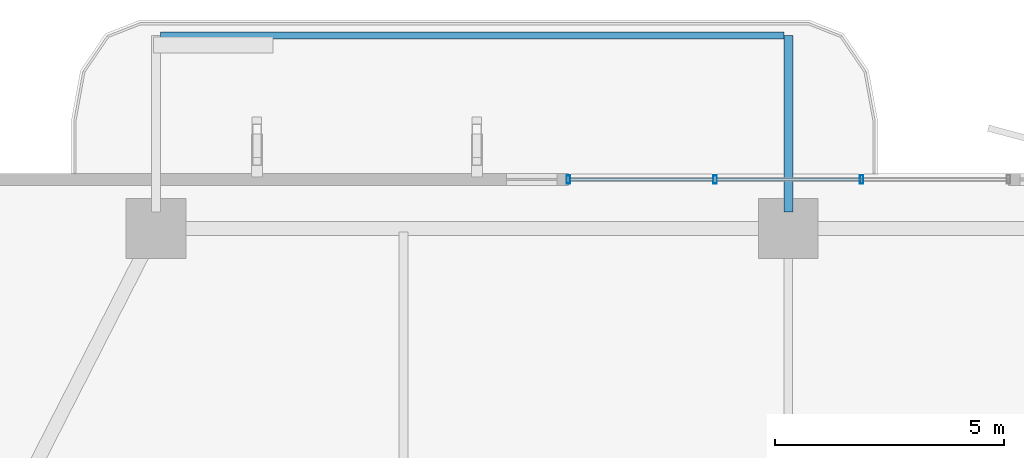
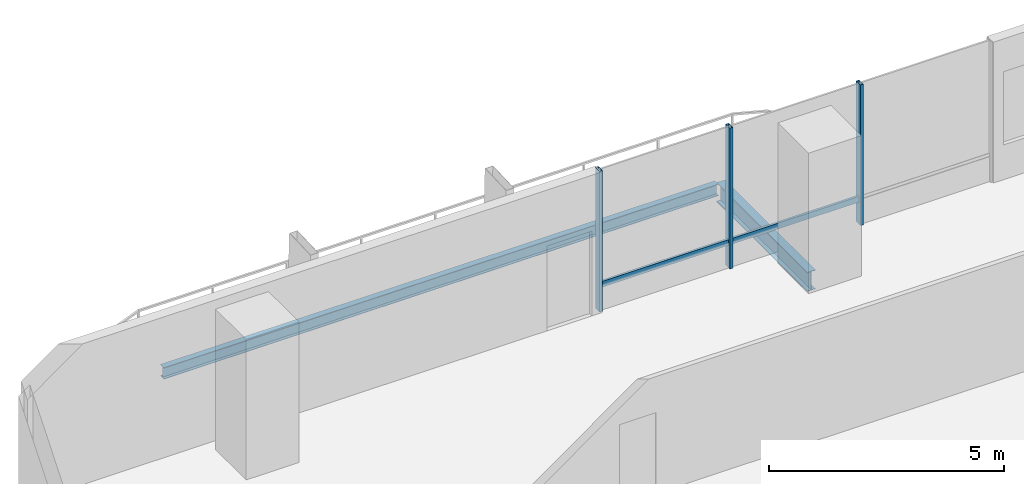
# One storey, part 11 of 24: 5 members, 2 beams, 1 element without a shape of its own.
"""IFC4 building model written with IfcOpenShell, lengths in metres."""

import ifcopenshell
import ifcopenshell.guid

model = None  # the IFC model being written
_history = None  # IfcOwnerHistory: only IFC2X3 demands one
_inside = {}  # id of a spatial element -> (the spatial element, [elements in it])
_under = {}  # id of a project, library or spatial element -> (it, [spatial elements below it])
_declared = {}  # id of a project -> (the project, [libraries it declares])
_typed = {}  # id of a type object -> (the type object, [elements of that type])
_made_of = {}  # id of a material, layer set ... -> (it, [elements and type objects made of it])


def new_model(schema):
    """Start an empty IFC model of exactly this schema.

    Asked for "IFC4X3", IfcOpenShell would pick the latest addendum, in which some entities
    have other attributes; the version numbers below select the first issue.
    IFC2X3 requires an IfcOwnerHistory on every rooted entity: one is made here for all.
    """
    global model, _history
    if schema == "IFC4X3":
        model = ifcopenshell.file(schema_version=(4, 3, 0, 0))
    else:
        model = ifcopenshell.file(schema=schema)
    _inside.clear()
    _under.clear()
    _declared.clear()
    _typed.clear()
    _made_of.clear()
    _history = None
    if model.schema == "IFC2X3":
        org = make("IfcOrganization", Name="unknown")
        user = make(
            "IfcPersonAndOrganization",
            ThePerson=make("IfcPerson", FamilyName="unknown"),
            TheOrganization=org,
        )
        app = make(
            "IfcApplication",
            ApplicationDeveloper=org,
            Version="unknown",
            ApplicationFullName="unknown",
            ApplicationIdentifier="unknown",
        )
        _history = make(
            "IfcOwnerHistory",
            OwningUser=user,
            OwningApplication=app,
            ChangeAction="ADDED",
            CreationDate=0,
        )
    return model


def make(cls, **values):
    """One entity of the class cls with the attributes given. An attribute that is None is left unset."""
    return model.create_entity(
        cls, **{name: value for name, value in values.items() if value is not None}
    )


def rooted(cls, **values):
    """An entity with a GlobalId (a new one), such as an element, a storey or a relation."""
    return make(cls, GlobalId=ifcopenshell.guid.new(), OwnerHistory=_history, **values)


def si_unit(unit_type, name, prefix=None):
    """IfcSIUnit, for example si_unit("LENGTHUNIT", "METRE", prefix="MILLI")."""
    return make("IfcSIUnit", UnitType=unit_type, Prefix=prefix, Name=name)


def assignment(units):
    """IfcUnitAssignment: the units of a project."""
    return None if units is None else make("IfcUnitAssignment", Units=units)


def point(xyz):
    """IfcCartesianPoint."""
    return None if xyz is None else make("IfcCartesianPoint", Coordinates=xyz)


def direction(xyz):
    """IfcDirection."""
    return None if xyz is None else make("IfcDirection", DirectionRatios=xyz)


def frame(location, z_axis=None, x_axis=None):
    """IfcAxis2Placement3D, a coordinate frame: its origin and axes. An axis left out is left unset."""
    return make(
        "IfcAxis2Placement3D",
        Location=point(location),
        Axis=direction(z_axis),
        RefDirection=direction(x_axis),
    )


def frame_2d(location, x_axis=None):
    """IfcAxis2Placement2D, a coordinate frame in the plane: its origin and x axis."""
    return make(
        "IfcAxis2Placement2D", Location=point(location), RefDirection=direction(x_axis)
    )


def origin():
    """The frame at (0, 0, 0) with its axes left unset."""
    return frame((0.0, 0.0, 0.0))


def origin_2d():
    """The frame at (0, 0) in the plane with its x axis left unset."""
    return frame_2d((0.0, 0.0))


def place(relative_to, where):
    """IfcLocalPlacement: puts the frame where relative to a parent placement (None: the world)."""
    return make(
        "IfcLocalPlacement", PlacementRelTo=relative_to, RelativePlacement=where
    )


def context(
    kind, dimensions, precision=None, world=None, true_north=None, identifier=None
):
    """IfcGeometricRepresentationContext, for example the 3D "Model" context."""
    return make(
        "IfcGeometricRepresentationContext",
        ContextIdentifier=identifier,
        ContextType=kind,
        CoordinateSpaceDimension=dimensions,
        Precision=precision,
        WorldCoordinateSystem=world,
        TrueNorth=true_north,
    )


def subcontext(parent, identifier, kind, view, scale=None):
    """IfcGeometricRepresentationSubContext, for example "Body" below "Model"."""
    return make(
        "IfcGeometricRepresentationSubContext",
        ContextIdentifier=identifier,
        ContextType=kind,
        ParentContext=parent,
        TargetScale=scale,
        TargetView=view,
    )


def project(units=None, contexts=None):
    """IfcProject with its units and contexts."""
    return rooted(
        "IfcProject",
        Name="project",
        RepresentationContexts=contexts,
        UnitsInContext=assignment(units),
    )


def spatial(cls, under=None, at=None, **own):
    """A site, building, storey or space (cls), placed at a placement, below another one or the project."""
    s = rooted(cls, ObjectPlacement=at, **own)
    if under is not None:
        _under.setdefault(under.id(), (under, []))[1].append(s)
    return s


def profile(cls, at=None, kind="AREA", **sizes):
    """A parametric profile (cls). Its sizes go by their IFC names, for example OverallWidth=200.0."""
    return make(cls, ProfileType=kind, Position=at, **sizes)


def hollow_rectangle(**sizes):
    """IfcRectangleHollowProfileDef."""
    return profile("IfcRectangleHollowProfileDef", **sizes)


def i_section(**sizes):
    """IfcIShapeProfileDef."""
    return profile("IfcIShapeProfileDef", **sizes)


def extrude(swept, where, along, depth):
    """IfcExtrudedAreaSolid: the profile swept, set in the frame where, extruded along a direction by depth."""
    return make(
        "IfcExtrudedAreaSolid",
        SweptArea=swept,
        Position=where,
        ExtrudedDirection=direction(along),
        Depth=depth,
    )


def shape(context_of_items, identifier, shape_type, items):
    """IfcShapeRepresentation: the items that make up one representation, for example the "Body"."""
    return make(
        "IfcShapeRepresentation",
        ContextOfItems=context_of_items,
        RepresentationIdentifier=identifier,
        RepresentationType=shape_type,
        Items=items,
    )


def material(Name=None, Category=None):
    """IfcMaterial."""
    return make("IfcMaterial", Name=Name, Category=Category)


def layer(
    of_material, thickness, ventilated=None, Name=None, Category=None, Priority=None
):
    """IfcMaterialLayer: one layer of a wall or slab, of a material (None: an air gap)."""
    return make(
        "IfcMaterialLayer",
        Material=of_material,
        LayerThickness=thickness,
        IsVentilated=ventilated,
        Name=Name,
        Category=Category,
        Priority=Priority,
    )


def layer_set(layers, Name=None):
    """IfcMaterialLayerSet."""
    return make("IfcMaterialLayerSet", MaterialLayers=layers, LayerSetName=Name)


def material_profile(
    of_material, cross_section, Name=None, Category=None, Priority=None
):
    """IfcMaterialProfile: a cross section and its material."""
    return make(
        "IfcMaterialProfile",
        Name=Name,
        Material=of_material,
        Profile=cross_section,
        Priority=Priority,
        Category=Category,
    )


def profile_set(profiles, Name=None, composite=None):
    """IfcMaterialProfileSet."""
    return make(
        "IfcMaterialProfileSet",
        Name=Name,
        MaterialProfiles=profiles,
        CompositeProfile=composite,
    )


def made_of(thing, what):
    """Note that an element or type object is made of a material, layer set ...; save() writes the relation."""
    if what is not None:
        _made_of.setdefault(what.id(), (what, []))[1].append(thing)
    return thing


def type_object(cls, material=None, **own):
    """A type object (cls), such as IfcWallType, which elements share."""
    return made_of(rooted(cls, **own), material)


def element(
    cls,
    number,
    at=None,
    inside=None,
    cuts=None,
    type_object=None,
    material=None,
    context=None,
    identifier="Body",
    shape_type=None,
    held_by="IfcProductDefinitionShape",
    body=None,
    shapes=None,
    **own,
):
    """One element of the class cls, such as IfcWall. Its Tag is "e" and its number.

    at: its placement. inside: the storey or other place that contains it. cuts: it is an
    opening in that element (IfcRelVoidsElement). A single representation is given by context,
    identifier, shape_type and body (its items); several are given by shapes. held_by: the class
    of the entity that holds the representations. save() writes the other relations.
    """
    e = rooted(cls, Tag="e%d" % number, ObjectPlacement=at, **own)
    if body is not None:
        shapes = [shape(context, identifier, shape_type, body)]
    if shapes is not None:
        e.Representation = make(held_by, Representations=shapes)
    if inside is not None:
        _inside.setdefault(inside.id(), (inside, []))[1].append(e)
    if cuts is not None:
        rooted(
            "IfcRelVoidsElement", RelatingBuildingElement=cuts, RelatedOpeningElement=e
        )
    if type_object is not None:
        _typed.setdefault(type_object.id(), (type_object, []))[1].append(e)
    return made_of(e, material)


def aggregate(whole, parts):
    """IfcRelAggregates: a whole, such as a stair, and the parts it consists of."""
    return rooted("IfcRelAggregates", RelatingObject=whole, RelatedObjects=parts)


def save(model, path):
    """Write the relations noted so far, then the file.

    IfcRelAggregates (storeys below a building ...), IfcRelContainedInSpatialStructure (elements
    in a storey), IfcRelDefinesByType, IfcRelAssociatesMaterial and IfcRelDeclares: one each for
    every whole, place, type object, material and project.
    """
    for whole, parts in _under.values():
        aggregate(whole, parts)
    for where, things in _inside.values():
        rooted(
            "IfcRelContainedInSpatialStructure",
            RelatedElements=things,
            RelatingStructure=where,
        )
    for kind, things in _typed.values():
        rooted("IfcRelDefinesByType", RelatedObjects=things, RelatingType=kind)
    for what, things in _made_of.values():
        rooted("IfcRelAssociatesMaterial", RelatedObjects=things, RelatingMaterial=what)
    for by, libraries in _declared.values():
        rooted("IfcRelDeclares", RelatingContext=by, RelatedDefinitions=libraries)
    model.write(path)


model = new_model("IFC4")

# Units and contexts
model_context = context("Model", 3, precision=1e-05, world=origin(), true_north=direction((0.0, 1.0)))
body_context = subcontext(model_context, "Body", "Model", "MODEL_VIEW")
ifc_project = project(units=[si_unit("LENGTHUNIT", "METRE"), si_unit("AREAUNIT", "SQUARE_METRE"), si_unit("VOLUMEUNIT", "CUBIC_METRE"), si_unit("PLANEANGLEUNIT", "RADIAN"), si_unit("MASSUNIT", "GRAM", prefix="KILO")], contexts=[model_context])

# Site, building, storey
site_placement = place(None, origin())
site = spatial("IfcSite", under=ifc_project, at=site_placement, CompositionType="ELEMENT")
building_placement = place(site_placement, origin())
building = spatial("IfcBuilding", under=site, at=building_placement, Name="Belovzor Exchange Tower", CompositionType="ELEMENT")
storey_placement = place(building_placement, frame((0.0, 0.0, 121.199951171875)))
storey = spatial("IfcBuildingStorey", under=building, at=storey_placement, Name="L29", CompositionType="ELEMENT", Elevation=121.199951171875)

# Beams
ifc_material_1 = material(Name="Steel S355", Category="steel")
ifc_material_profile_1 = material_profile(ifc_material_1, i_section(OverallWidth=0.199951171875, OverallDepth=0.5, WebThickness=0.01025390625, FlangeThickness=0.01611328125, at=origin_2d()))
ifc_profile_set_1 = profile_set([ifc_material_profile_1], Name="Steel S355")
beam_type_1 = type_object("IfcBeamType", Name="Planted Balcony Cantilever Beam IPE 500", PredefinedType="BEAM", material=ifc_profile_set_1)
beam_1_placement = place(storey_placement, frame((28.800048828125, 54.05810546875, -0.5), z_axis=(0.0, 1.0, 0.0), x_axis=(-1.0, 0.0, 0.0)))
element("IfcBeam", 1, at=beam_1_placement, inside=storey, type_object=beam_type_1, Name="BC-500 Planted Balcony Cantilever Beam IPE 500", PredefinedType="BEAM", context=body_context, shape_type="SweptSolid", body=[
    extrude(i_section(OverallWidth=0.199951171875, OverallDepth=0.5, WebThickness=0.01025390625, FlangeThickness=0.01611328125, at=origin_2d()), origin(), (0.0, 0.0, 1.0), 3.849853515625),
])
ifc_material_2 = material(Name="Steel S355", Category="steel")
ifc_material_profile_2 = material_profile(ifc_material_2, i_section(OverallWidth=0.14990234375, OverallDepth=0.300048828125, WebThickness=0.007080078125, FlangeThickness=0.0107421875, at=origin_2d()))
ifc_profile_set_2 = profile_set([ifc_material_profile_2], Name="Steel S355")
beam_type_2 = type_object("IfcBeamType", Name="Planted Balcony Fascia Edge Beam IPE 300", PredefinedType="BEAM", material=ifc_profile_set_2)
beam_2_placement = place(storey_placement, frame((28.699951171875, 57.907958984375, -0.39990234375), z_axis=(-1.0, 0.0, 0.0), x_axis=(0.0, -1.0, 0.0)))
element("IfcBeam", 2, at=beam_2_placement, inside=storey, type_object=beam_type_2, Name="BC-300 Planted Balcony Fascia Edge Beam IPE 300", PredefinedType="BEAM", context=body_context, shape_type="SweptSolid", body=[
    extrude(i_section(OverallWidth=0.14990234375, OverallDepth=0.300048828125, WebThickness=0.007080078125, FlangeThickness=0.0107421875, at=origin_2d()), origin(), (0.0, 0.0, 1.0), 13.599853515625),
])

# Curtain wall, members
ifc_material_3 = material(Name="Anodised Aluminium Framing", Category="aluminium")
ifc_layer = layer(ifc_material_3, 0.179931640625)
ifc_layer_set = layer_set([ifc_layer], Name="Anodised Aluminium Framing")
curtain_wall_type = type_object("IfcCurtainWallType", Name="Recessed Loggia Low-Iron Triple-Glazed Curtain Wall", PredefinedType="NOTDEFINED", material=ifc_layer_set)
curtain_wall_placement = place(storey_placement, origin())
curtain_wall = element("IfcCurtainWall", 3, at=curtain_wall_placement, inside=storey, type_object=curtain_wall_type, Name="CW3 Recessed Loggia Low-Iron Triple-Glazed Curtain Wall L29", PredefinedType="NOTDEFINED")
ifc_material_4 = material(Name="Steel S355", Category="steel")
ifc_material_profile_3 = material_profile(ifc_material_4, hollow_rectangle(XDim=0.074951171875, YDim=0.179931640625, WallThickness=0.0048828125, at=origin_2d()))
ifc_profile_set_3 = profile_set([ifc_material_profile_3], Name="Steel S355")
member_type_1 = type_object("IfcMemberType", Name="Thermally Broken Curtain Wall Mullion 180x75", PredefinedType="MULLION", material=ifc_profile_set_3)
member_1_placement = place(storey_placement, frame((24.0, 54.77001953125, 0.0), z_axis=(0.0, 0.0, 1.0), x_axis=(1.0, 0.0, 0.0)))
member_1 = element("IfcMember", 4, at=member_1_placement, type_object=member_type_1, Name="CW-M180 Curtain Wall Mullion 1", PredefinedType="MULLION", context=body_context, shape_type="SweptSolid", body=[
    extrude(hollow_rectangle(XDim=0.074951171875, YDim=0.179931640625, WallThickness=0.0048828125, at=origin_2d()), origin(), (0.0, 0.0, 1.0), 3.650146484375),
])
member_2_placement = place(storey_placement, frame((27.199951171875, 54.77001953125, 0.0), z_axis=(0.0, 0.0, 1.0), x_axis=(1.0, 0.0, 0.0)))
member_2 = element("IfcMember", 5, at=member_2_placement, type_object=member_type_1, Name="CW-M180 Curtain Wall Mullion 2", PredefinedType="MULLION", context=body_context, shape_type="SweptSolid", body=[
    extrude(hollow_rectangle(XDim=0.074951171875, YDim=0.179931640625, WallThickness=0.0048828125, at=origin_2d()), origin(), (0.0, 0.0, 1.0), 3.650146484375),
])
member_3_placement = place(storey_placement, frame((30.39990234375, 54.77001953125, 0.0), z_axis=(0.0, 0.0, 1.0), x_axis=(1.0, 0.0, 0.0)))
member_3 = element("IfcMember", 6, at=member_3_placement, type_object=member_type_1, Name="CW-M180 Curtain Wall Mullion 3", PredefinedType="MULLION", context=body_context, shape_type="SweptSolid", body=[
    extrude(hollow_rectangle(XDim=0.074951171875, YDim=0.179931640625, WallThickness=0.0048828125, at=origin_2d()), origin(), (0.0, 0.0, 1.0), 3.650146484375),
])
ifc_material_5 = material(Name="Steel S355", Category="steel")
ifc_material_profile_4 = material_profile(ifc_material_5, hollow_rectangle(XDim=0.06005859375, YDim=0.14990234375, WallThickness=0.00390625, at=origin_2d()))
ifc_profile_set_4 = profile_set([ifc_material_profile_4], Name="Steel S355")
member_type_2 = type_object("IfcMemberType", Name="Thermally Broken Curtain Wall Transom 150x60", PredefinedType="USERDEFINED", material=ifc_profile_set_4)
member_4_placement = place(storey_placement, frame((24.008056640625, 54.77001953125, 0.650146484375), z_axis=(1.0, 0.0, 0.0), x_axis=(0.0, 1.0, 0.0)))
member_4 = element("IfcMember", 7, at=member_4_placement, type_object=member_type_2, Name="CW-T150 Curtain Wall Transom 1", ObjectType="TRANSOM", PredefinedType="USERDEFINED", context=body_context, shape_type="SweptSolid", body=[
    extrude(hollow_rectangle(XDim=0.06005859375, YDim=0.14990234375, WallThickness=0.00390625, at=origin_2d()), origin(), (0.0, 0.0, 1.0), 3.183837890625),
])
member_5_placement = place(storey_placement, frame((27.2080078125, 54.77001953125, 0.650146484375), z_axis=(1.0, 0.0, 0.0), x_axis=(0.0, 1.0, 0.0)))
member_5 = element("IfcMember", 8, at=member_5_placement, type_object=member_type_2, Name="CW-T150 Curtain Wall Transom 2", ObjectType="TRANSOM", PredefinedType="USERDEFINED", context=body_context, shape_type="SweptSolid", body=[
    extrude(hollow_rectangle(XDim=0.06005859375, YDim=0.14990234375, WallThickness=0.00390625, at=origin_2d()), origin(), (0.0, 0.0, 1.0), 3.18408203125),
])
aggregate(curtain_wall, [member_1, member_2, member_3, member_4, member_5])

save(model, "model.ifc")
